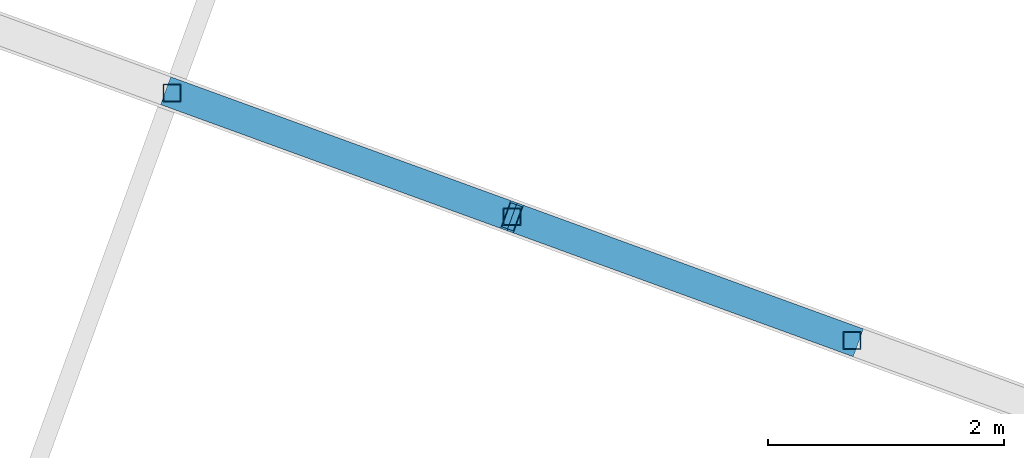
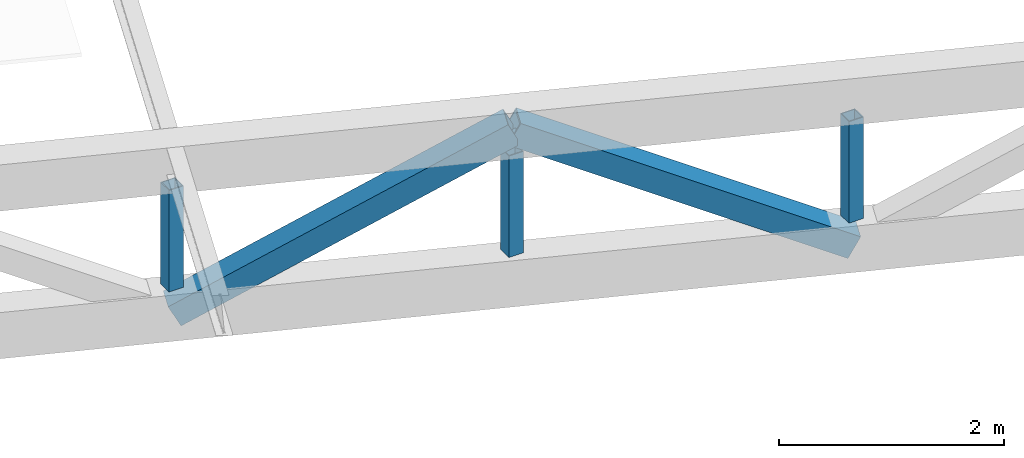
# One storey, part 28 of 72: 5 members.
"""IFC4 building model written with IfcOpenShell, lengths in metres."""

from ifc_helpers import new_model, si_unit, direction, frame, origin, origin_2d, place, context, subcontext, project, spatial, hollow_rectangle, extrude, material, material_profile, profile_set, type_object, element, save


model = new_model("IFC4")

# Units and contexts
model_context = context("Model", 3, precision=1e-05, world=origin(), true_north=direction((0.0, 1.0)))
body_context = subcontext(model_context, "Body", "Model", "MODEL_VIEW")
ifc_project = project(units=[si_unit("LENGTHUNIT", "METRE"), si_unit("AREAUNIT", "SQUARE_METRE"), si_unit("VOLUMEUNIT", "CUBIC_METRE"), si_unit("PLANEANGLEUNIT", "RADIAN"), si_unit("MASSUNIT", "GRAM", prefix="KILO")], contexts=[model_context])

# Site, building, storey
site_placement = place(None, origin())
site = spatial("IfcSite", under=ifc_project, at=site_placement, CompositionType="ELEMENT")
building_placement = place(site_placement, origin())
building = spatial("IfcBuilding", under=site, at=building_placement, Name="Nzadi Deep Aquarium and Research Tower", CompositionType="ELEMENT")
storey_placement = place(building_placement, frame((0.0, 0.0, 31.89990234375)))
storey = spatial("IfcBuildingStorey", under=building, at=storey_placement, Name="L05", CompositionType="ELEMENT", Elevation=31.89990234375)

# Members
ifc_material_1 = material(Name="Steel S355", Category="steel")
ifc_material_profile_1 = material_profile(ifc_material_1, hollow_rectangle(XDim=0.14990234375, YDim=0.14990234375, WallThickness=0.008056640625, at=origin_2d()))
ifc_profile_set_1 = profile_set([ifc_material_profile_1], Name="Steel S355")
member_type_1 = type_object("IfcMemberType", Name="RHS 150x150x8 post 2", PredefinedType="POST", material=ifc_profile_set_1)
for number, where, z_axis, x_axis, name in (
    (1, (26.063720703125, 62.682373046875, 7.2001953125), (0.0, 0.0, 1.0), (1.0, 0.0, 0.0), "MB-PR-R1-T2-V4"),
    (2, (28.941650390625, 61.635009765625, 7.2001953125), (0.0, 0.0, 1.0), (1.0, 0.0, 0.0), "MB-PR-R1-T2-V5"),
    (3, (31.8193359375, 60.587646484375, 7.2001953125), (0.0, 0.0, 1.0), (1.0, 0.0, 0.0), "MB-PR-R1-T2-V6"),
):
    element("IfcMember", number, at=place(storey_placement, frame(where, z_axis=z_axis, x_axis=x_axis)), inside=storey, type_object=member_type_1, Name=name, PredefinedType="POST", context=body_context, shape_type="SweptSolid", body=[
        extrude(hollow_rectangle(XDim=0.14990234375, YDim=0.14990234375, WallThickness=0.008056640625, at=origin_2d()), origin(), (0.0, 0.0, 1.0), 1.099853515625),
    ])
ifc_material_2 = material(Name="Steel S355", Category="steel")
ifc_material_profile_2 = material_profile(ifc_material_2, hollow_rectangle(XDim=0.25, YDim=0.25, WallThickness=0.01611328125, at=origin_2d()))
ifc_profile_set_2 = profile_set([ifc_material_profile_2], Name="Steel S355")
member_type_2 = type_object("IfcMemberType", Name="RHS 250x250x16 brace", PredefinedType="BRACE", material=ifc_profile_set_2)
member_1_placement = place(storey_placement, frame((26.063720703125, 62.682373046875, 6.9501953125), z_axis=(0.832907091186, -0.3031193944, 0.463016641376), x_axis=(0.341986276019, 0.939704946786, 0.0)))
element("IfcMember", 4, at=member_1_placement, inside=storey, type_object=member_type_2, Name="MB-PR-R1-T2-D5", PredefinedType="BRACE", context=body_context, shape_type="SweptSolid", body=[
    extrude(hollow_rectangle(XDim=0.25, YDim=0.25, WallThickness=0.01611328125, at=origin_2d()), origin(), (0.0, 0.0, 1.0), 3.455322265625),
])
member_2_placement = place(storey_placement, frame((28.941650390625, 61.635009765625, 8.550048828125), z_axis=(0.832885449393, -0.303137234062, -0.463043891564), x_axis=(0.342011896186, 0.939695622458, 0.0)))
element("IfcMember", 5, at=member_2_placement, inside=storey, type_object=member_type_2, Name="MB-PR-R1-T2-D6", PredefinedType="BRACE", context=body_context, shape_type="SweptSolid", body=[
    extrude(hollow_rectangle(XDim=0.25, YDim=0.25, WallThickness=0.01611328125, at=origin_2d()), origin(), (0.0, 0.0, 1.0), 3.455078125),
])

save(model, "model.ifc")
